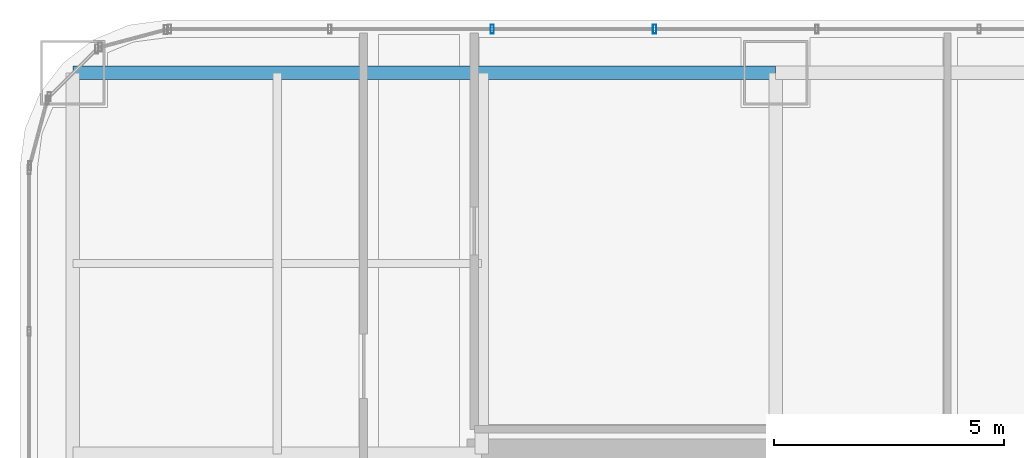
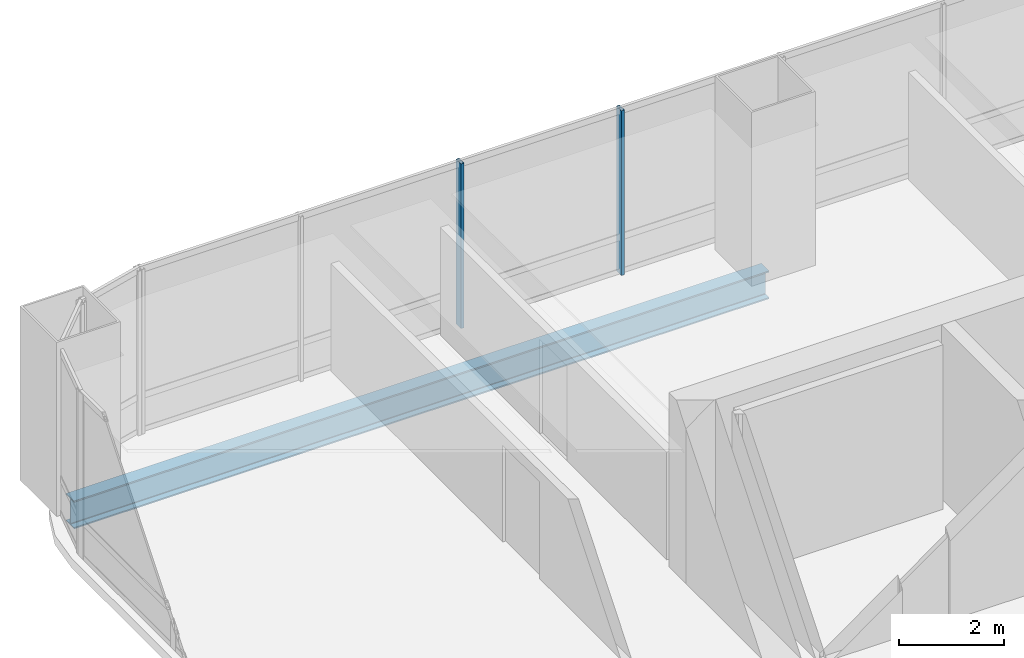
# One storey, part 21 of 35: 2 members, 1 beam, 1 element without a shape of its own.
"""IFC4 building model written with IfcOpenShell, lengths in metres."""

from ifc_helpers import new_model, si_unit, direction, frame, origin, origin_2d, place, context, subcontext, project, spatial, hollow_rectangle, i_section, extrude, material, material_profile, profile_set, type_object, element, aggregate, save


model = new_model("IFC4")

# Units and contexts
model_context = context("Model", 3, precision=1e-05, world=origin(), true_north=direction((0.0, 1.0)))
body_context = subcontext(model_context, "Body", "Model", "MODEL_VIEW")
ifc_project = project(units=[si_unit("LENGTHUNIT", "METRE"), si_unit("AREAUNIT", "SQUARE_METRE"), si_unit("VOLUMEUNIT", "CUBIC_METRE"), si_unit("PLANEANGLEUNIT", "RADIAN"), si_unit("MASSUNIT", "GRAM", prefix="KILO")], contexts=[model_context])

# Site, building, storey
site_placement = place(None, origin())
site = spatial("IfcSite", under=ifc_project, at=site_placement, CompositionType="ELEMENT")
building_placement = place(site_placement, origin())
building = spatial("IfcBuilding", under=site, at=building_placement, Name="Punatoya Terracotta Tower", CompositionType="ELEMENT")
storey_placement = place(building_placement, frame((0.0, 0.0, 216.75)))
storey = spatial("IfcBuildingStorey", under=building, at=storey_placement, Name="L51", CompositionType="ELEMENT", Elevation=216.75)

# Beam
ifc_material_1 = material(Name="Steel S355", Category="steel")
ifc_material_profile_1 = material_profile(ifc_material_1, i_section(OverallWidth=0.300048828125, OverallDepth=0.64990234375, WebThickness=0.01611328125, FlangeThickness=0.031005859375, FilletRadius=0.01806640625, at=origin_2d()))
ifc_profile_set_1 = profile_set([ifc_material_profile_1], Name="Steel S355")
beam_type = type_object("IfcBeamType", Name="BM-PRI-650", PredefinedType="BEAM", material=ifc_profile_set_1)
beam_placement = place(storey_placement, frame((-19.10009765625, 17.5, -0.544921875), z_axis=(1.0, 0.0, 0.0), x_axis=(0.0, 1.0, 0.0)))
element("IfcBeam", 1, at=beam_placement, inside=storey, type_object=beam_type, Name="BM-L51-RG-N1", PredefinedType="BEAM", context=body_context, shape_type="SweptSolid", body=[
    extrude(i_section(OverallWidth=0.300048828125, OverallDepth=0.64990234375, WebThickness=0.01611328125, FlangeThickness=0.031005859375, FilletRadius=0.01806640625, at=origin_2d()), origin(), (0.0, 0.0, 1.0), 15.300048828125),
])

# Curtain wall, members
ifc_material_2 = material(Name="Aluminium 6063-T6 + Double Low-E Glass", Category="aluminium")
curtain_wall_type = type_object("IfcCurtainWallType", Name="CW-M2", PredefinedType="NOTDEFINED", material=ifc_material_2)
curtain_wall_placement = place(storey_placement, origin())
curtain_wall = element("IfcCurtainWall", 2, at=curtain_wall_placement, inside=storey, type_object=curtain_wall_type, Name="L51 Curtain Wall CW-L51-N09-1", PredefinedType="NOTDEFINED")
ifc_material_3 = material(Name="Aluminium 6063-T6", Category="aluminium")
ifc_material_profile_2 = material_profile(ifc_material_3, hollow_rectangle(XDim=0.072021484375, YDim=0.195068359375, WallThickness=0.00439453125, at=origin_2d()))
ifc_profile_set_2 = profile_set([ifc_material_profile_2], Name="Aluminium 6063-T6")
member_type = type_object("IfcMemberType", Name="CW-MUL-M2", PredefinedType="MULLION", material=ifc_profile_set_2)
member_1_placement = place(storey_placement, frame((-6.43505859375, 18.449951171875, 0.0), z_axis=(0.0, 0.0, 1.0), x_axis=(1.0, 0.0, 0.0)))
member_1 = element("IfcMember", 3, at=member_1_placement, type_object=member_type, Name="CW-L51-N09-1 Mullion 08", PredefinedType="MULLION", context=body_context, shape_type="SweptSolid", body=[
    extrude(hollow_rectangle(XDim=0.072021484375, YDim=0.195068359375, WallThickness=0.00439453125, at=origin_2d()), origin(), (0.0, 0.0, 1.0), 3.830078125),
])
member_2_placement = place(storey_placement, frame((-9.968994140625, 18.449951171875, 0.0), z_axis=(0.0, 0.0, 1.0), x_axis=(1.0, 0.0, 0.0)))
member_2 = element("IfcMember", 4, at=member_2_placement, type_object=member_type, Name="CW-L51-N09-1 Mullion 09", PredefinedType="MULLION", context=body_context, shape_type="SweptSolid", body=[
    extrude(hollow_rectangle(XDim=0.072021484375, YDim=0.195068359375, WallThickness=0.00439453125, at=origin_2d()), origin(), (0.0, 0.0, 1.0), 3.830078125),
])
aggregate(curtain_wall, [member_1, member_2])

save(model, "model.ifc")
